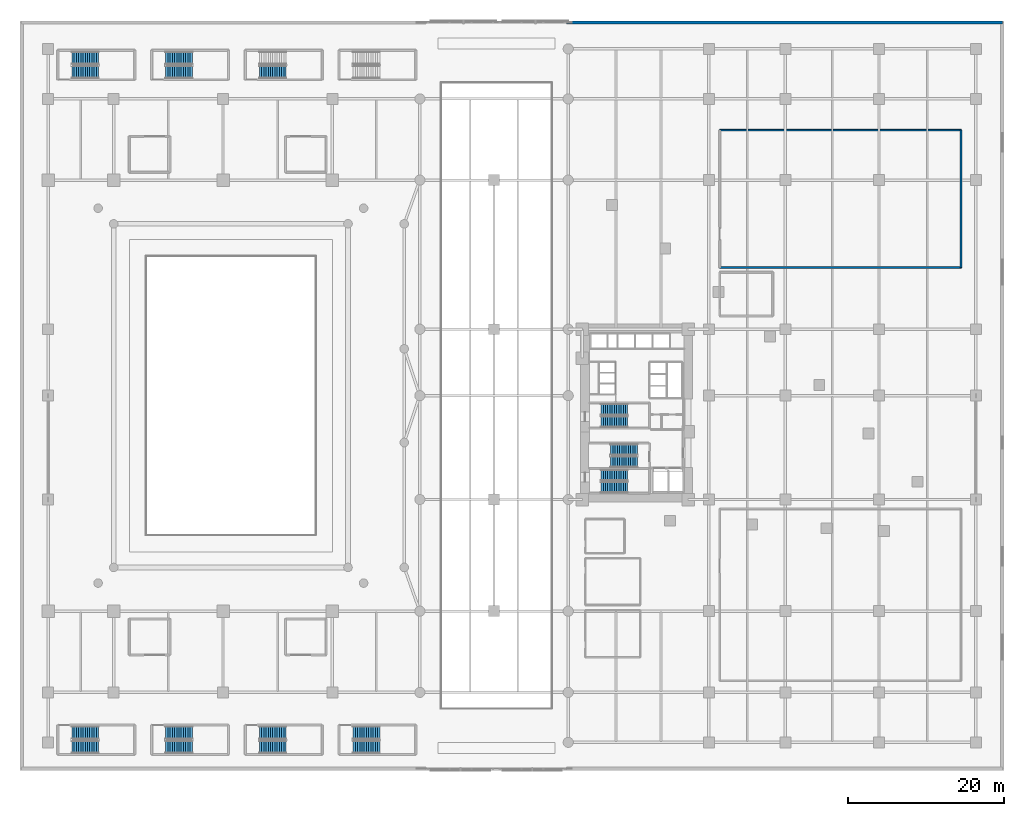
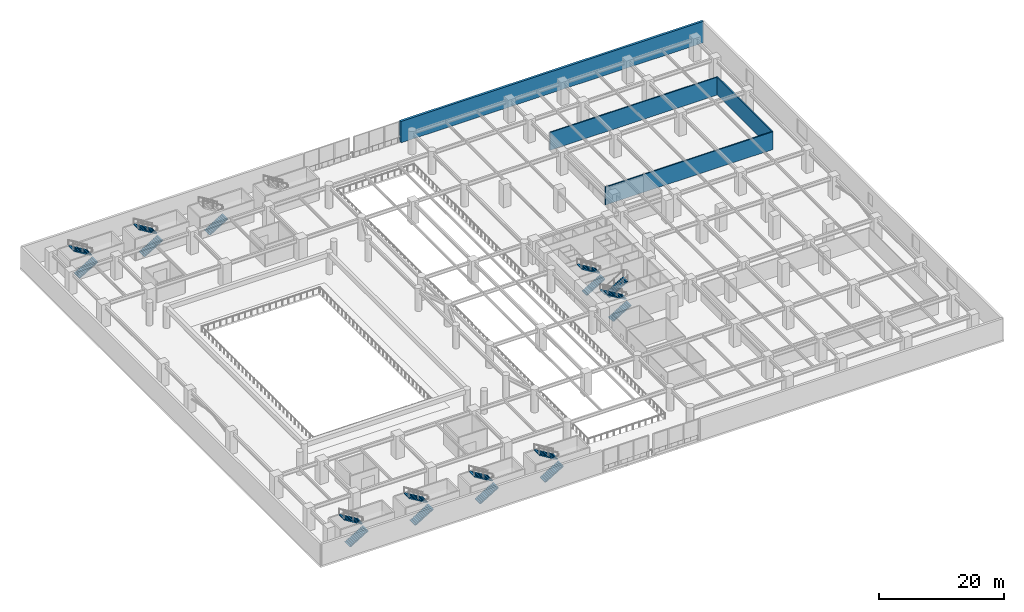
# One storey, part 17 of 32: 19 stair flights, 4 walls, 10 elements without a shape of their own.
"""IFC4 building model written with IfcOpenShell, lengths in metres."""

from ifc_helpers import new_model, si_unit, direction, frame, frame_2d, origin, place, context, subcontext, project, spatial, polyline, rectangle, outline, extrude, material, layer, layer_set, type_object, element, aggregate, save


model = new_model("IFC4")

# Units and contexts
model_context = context("Model", 3, precision=1e-05, world=origin(), true_north=direction((0.0, 1.0)))
body_context = subcontext(model_context, "Body", "Model", "MODEL_VIEW")
ifc_project = project(units=[si_unit("LENGTHUNIT", "METRE"), si_unit("AREAUNIT", "SQUARE_METRE"), si_unit("VOLUMEUNIT", "CUBIC_METRE"), si_unit("PLANEANGLEUNIT", "RADIAN"), si_unit("MASSUNIT", "GRAM", prefix="KILO")], contexts=[model_context])

# Site, building, storey
site_placement = place(None, origin())
site = spatial("IfcSite", under=ifc_project, at=site_placement, CompositionType="ELEMENT")
building_placement = place(site_placement, origin())
building = spatial("IfcBuilding", under=site, at=building_placement, Name="Narakoshi Arena Tower", CompositionType="ELEMENT")
storey_placement = place(building_placement, frame((0.0, 0.0, 4.5)))
storey = spatial("IfcBuildingStorey", under=building, at=storey_placement, Name="L01", CompositionType="ELEMENT", Elevation=4.5)

# Walls
ifc_material_1 = material(Name="Concrete C40/50", Category="concrete")
ifc_layer_1 = layer(ifc_material_1, 0.219970703125)
ifc_layer_set_1 = layer_set([ifc_layer_1], Name="Concrete C40/50")
wall_type_1 = type_object("IfcWallType", Name="WL-COMP-220", PredefinedType="SOLIDWALL", material=ifc_layer_set_1)
wall_1_placement = place(storey_placement, frame((89.60009765625, 64.39990234375, 0.0), z_axis=(0.0, 0.0, 1.0), x_axis=(1.0, 0.0, 0.0)))
element("IfcWall", 1, at=wall_1_placement, inside=storey, type_object=wall_type_1, Name="L01 Event Hospitality Banquet Hall Wall S", PredefinedType="SOLIDWALL", context=body_context, shape_type="SweptSolid", body=[
    extrude(rectangle(XDim=30.89990234375, YDim=0.219970703125, at=frame_2d((15.449951171875, 0.0))), origin(), (0.0, 0.0, 1.0), 3.465087890625),
])
wall_2_placement = place(storey_placement, frame((120.5, 64.39990234375, 0.0), z_axis=(0.0, 0.0, 1.0), x_axis=(0.0, 1.0, 0.0)))
element("IfcWall", 2, at=wall_2_placement, inside=storey, type_object=wall_type_1, Name="L01 Event Hospitality Banquet Hall Wall E", PredefinedType="SOLIDWALL", context=body_context, shape_type="SweptSolid", body=[
    extrude(rectangle(XDim=17.60009765625, YDim=0.219970703125, at=frame_2d((8.800048828125, 0.0))), origin(), (0.0, 0.0, 1.0), 3.465087890625),
])
wall_3_placement = place(storey_placement, frame((120.5, 82.0, 0.0), z_axis=(0.0, 0.0, 1.0), x_axis=(-1.0, 0.0, 0.0)))
element("IfcWall", 3, at=wall_3_placement, inside=storey, type_object=wall_type_1, Name="L01 Event Hospitality Banquet Hall Wall N", PredefinedType="SOLIDWALL", context=body_context, shape_type="SweptSolid", body=[
    extrude(rectangle(XDim=30.89990234375, YDim=0.219970703125, at=frame_2d((15.449951171875, 0.0))), origin(), (0.0, 0.0, 1.0), 3.465087890625),
])
ifc_material_2 = material(Name="Precast concrete C45/55", Category="concrete")
ifc_layer_2 = layer(ifc_material_2, 0.419921875)
ifc_layer_set_2 = layer_set([ifc_layer_2], Name="Precast concrete C45/55")
wall_type_2 = type_object("IfcWallType", Name="WL-POD-420", PredefinedType="SOLIDWALL", material=ifc_layer_set_2)
wall_4_placement = place(storey_placement, frame((125.7900390625, 95.7900390625, 0.0), z_axis=(0.0, 0.0, 1.0), x_axis=(-1.0, 0.0, 0.0)))
element("IfcWall", 4, at=wall_4_placement, inside=storey, type_object=wall_type_2, Name="L01 Podium Precast Facade Wall NE", PredefinedType="SOLIDWALL", context=body_context, shape_type="SweptSolid", body=[
    extrude(rectangle(XDim=55.7900390625, YDim=0.419921875, at=frame_2d((27.89501953125, 0.0))), origin(), (0.0, 0.0, 1.0), 4.179931640625),
])

# Stair, stair flights
ifc_material_3 = material(Name="Concrete C45/55", Category="concrete")
stair_type_1 = type_object("IfcStairType", Name="STR-POD-450", PredefinedType="TWO_STRAIGHT_RUN_STAIR", material=ifc_material_3)
stair_1_placement = place(storey_placement, origin())
stair_1 = element("IfcStair", 5, at=stair_1_placement, inside=storey, type_object=stair_type_1, Name="L01 Core Escape Stair ST1", PredefinedType="TWO_STRAIGHT_RUN_STAIR")
stair_flight_type_1 = type_object("IfcStairFlightType", Name="FLT-160-150", PredefinedType="STRAIGHT", material=ifc_material_2)
stair_flight_1_placement = place(storey_placement, frame((74.39990234375, 36.27490234375, 0.0), z_axis=(0.0, 0.0, 1.0), x_axis=(1.0, 0.0, 0.0)))
stair_flight_1 = element("IfcStairFlight", 6, at=stair_flight_1_placement, type_object=stair_flight_type_1, Name="ST1 flight 1", NumberOfRisers=13, NumberOfTreads=12, PredefinedType="STRAIGHT", RiserHeight=0.173076923, TreadLength=0.285, context=body_context, shape_type="SweptSolid", body=[
    extrude(outline(polyline([(0.0, 0.0), (0.0, 0.173095703125), (0.284912109375, 0.173095703125), (0.284912109375, 0.34619140625), (0.570068359375, 0.34619140625), (0.570068359375, 0.519287109375), (0.85498046875, 0.519287109375), (0.85498046875, 0.6923828125), (1.139892578125, 0.6923828125), (1.139892578125, 0.865478515625), (1.425048828125, 0.865478515625), (1.425048828125, 1.03857421875), (1.7099609375, 1.03857421875), (1.7099609375, 1.21142578125), (1.9951171875, 1.21142578125), (1.9951171875, 1.384521484375), (2.280029296875, 1.384521484375), (2.280029296875, 1.5576171875), (2.56494140625, 1.5576171875), (2.56494140625, 1.730712890625), (2.85009765625, 1.730712890625), (2.85009765625, 1.90380859375), (3.135009765625, 1.90380859375), (3.135009765625, 2.076904296875), (3.419921875, 2.076904296875), (3.419921875, 2.25), (3.419921875, 1.901611328125), (0.288818359375, 0.0), (0.0, 0.0)])), frame((0.0, 0.72509765625, 0.0), z_axis=(0.0, -1.0, 0.0), x_axis=(1.0, 0.0, 0.0)), (0.0, 0.0, 1.0), 1.449951171875),
])
stair_flight_2_placement = place(storey_placement, frame((77.820068359375, 37.824951171875, 2.25), z_axis=(0.0, 0.0, 1.0), x_axis=(-1.0, 0.0, 0.0)))
stair_flight_2 = element("IfcStairFlight", 7, at=stair_flight_2_placement, type_object=stair_flight_type_1, Name="ST1 flight 2", NumberOfRisers=13, NumberOfTreads=12, PredefinedType="STRAIGHT", RiserHeight=0.173076923, TreadLength=0.285, context=body_context, shape_type="SweptSolid", body=[
    extrude(outline(polyline([(0.0, 0.0), (0.0, 0.173095703125), (0.284912109375, 0.173095703125), (0.284912109375, 0.34619140625), (0.570068359375, 0.34619140625), (0.570068359375, 0.519287109375), (0.85498046875, 0.519287109375), (0.85498046875, 0.6923828125), (1.139892578125, 0.6923828125), (1.139892578125, 0.865478515625), (1.425048828125, 0.865478515625), (1.425048828125, 1.03857421875), (1.7099609375, 1.03857421875), (1.7099609375, 1.21142578125), (1.9951171875, 1.21142578125), (1.9951171875, 1.384521484375), (2.280029296875, 1.384521484375), (2.280029296875, 1.5576171875), (2.56494140625, 1.5576171875), (2.56494140625, 1.730712890625), (2.85009765625, 1.730712890625), (2.85009765625, 1.90380859375), (3.135009765625, 1.90380859375), (3.135009765625, 2.076904296875), (3.419921875, 2.076904296875), (3.419921875, 2.25), (3.419921875, 1.901611328125), (0.288818359375, 0.0), (0.0, 0.0)])), frame((0.0, 0.72509765625, 0.0), z_axis=(0.0, -1.0, 0.0), x_axis=(1.0, 0.0, 0.0)), (0.0, 0.0, 1.0), 1.449951171875),
])
aggregate(stair_1, [stair_flight_1, stair_flight_2])

stair_2_placement = place(storey_placement, origin())
stair_2 = element("IfcStair", 8, at=stair_2_placement, inside=storey, type_object=stair_type_1, Name="L01 Core Escape Stair ST2", PredefinedType="TWO_STRAIGHT_RUN_STAIR")
stair_flight_3_placement = place(storey_placement, frame((79.050048828125, 41.074951171875, 0.0), z_axis=(0.0, 0.0, 1.0), x_axis=(-1.0, 0.0, 0.0)))
stair_flight_3 = element("IfcStairFlight", 9, at=stair_flight_3_placement, type_object=stair_flight_type_1, Name="ST2 flight 1", NumberOfRisers=13, NumberOfTreads=12, PredefinedType="STRAIGHT", RiserHeight=0.173076923, TreadLength=0.285, context=body_context, shape_type="SweptSolid", body=[
    extrude(outline(polyline([(0.0, 0.0), (0.0, 0.173095703125), (0.284912109375, 0.173095703125), (0.284912109375, 0.34619140625), (0.570068359375, 0.34619140625), (0.570068359375, 0.519287109375), (0.85498046875, 0.519287109375), (0.85498046875, 0.6923828125), (1.139892578125, 0.6923828125), (1.139892578125, 0.865478515625), (1.425048828125, 0.865478515625), (1.425048828125, 1.03857421875), (1.7099609375, 1.03857421875), (1.7099609375, 1.21142578125), (1.9951171875, 1.21142578125), (1.9951171875, 1.384521484375), (2.280029296875, 1.384521484375), (2.280029296875, 1.5576171875), (2.56494140625, 1.5576171875), (2.56494140625, 1.730712890625), (2.85009765625, 1.730712890625), (2.85009765625, 1.90380859375), (3.135009765625, 1.90380859375), (3.135009765625, 2.076904296875), (3.419921875, 2.076904296875), (3.419921875, 2.25), (3.419921875, 1.901611328125), (0.288818359375, 0.0), (0.0, 0.0)])), frame((0.0, 0.72509765625, 0.0), z_axis=(0.0, -1.0, 0.0), x_axis=(1.0, 0.0, 0.0)), (0.0, 0.0, 1.0), 1.449951171875),
])
stair_flight_4_placement = place(storey_placement, frame((75.6298828125, 39.52490234375, 2.25), z_axis=(0.0, 0.0, 1.0), x_axis=(1.0, 0.0, 0.0)))
stair_flight_4 = element("IfcStairFlight", 10, at=stair_flight_4_placement, type_object=stair_flight_type_1, Name="ST2 flight 2", NumberOfRisers=13, NumberOfTreads=12, PredefinedType="STRAIGHT", RiserHeight=0.173076923, TreadLength=0.285, context=body_context, shape_type="SweptSolid", body=[
    extrude(outline(polyline([(0.0, 0.0), (0.0, 0.173095703125), (0.284912109375, 0.173095703125), (0.284912109375, 0.34619140625), (0.570068359375, 0.34619140625), (0.570068359375, 0.519287109375), (0.85498046875, 0.519287109375), (0.85498046875, 0.6923828125), (1.139892578125, 0.6923828125), (1.139892578125, 0.865478515625), (1.425048828125, 0.865478515625), (1.425048828125, 1.03857421875), (1.7099609375, 1.03857421875), (1.7099609375, 1.21142578125), (1.9951171875, 1.21142578125), (1.9951171875, 1.384521484375), (2.280029296875, 1.384521484375), (2.280029296875, 1.5576171875), (2.56494140625, 1.5576171875), (2.56494140625, 1.730712890625), (2.85009765625, 1.730712890625), (2.85009765625, 1.90380859375), (3.135009765625, 1.90380859375), (3.135009765625, 2.076904296875), (3.419921875, 2.076904296875), (3.419921875, 2.25), (3.419921875, 1.901611328125), (0.288818359375, 0.0), (0.0, 0.0)])), frame((0.0, 0.72509765625, 0.0), z_axis=(0.0, -1.0, 0.0), x_axis=(1.0, 0.0, 0.0)), (0.0, 0.0, 1.0), 1.449951171875),
])
aggregate(stair_2, [stair_flight_3, stair_flight_4])

stair_3_placement = place(storey_placement, origin())
stair_3 = element("IfcStair", 11, at=stair_3_placement, inside=storey, type_object=stair_type_1, Name="L01 Core Escape Stair ST3", PredefinedType="TWO_STRAIGHT_RUN_STAIR")
stair_flight_5_placement = place(storey_placement, frame((74.39990234375, 44.675048828125, 0.0), z_axis=(0.0, 0.0, 1.0), x_axis=(1.0, 0.0, 0.0)))
stair_flight_5 = element("IfcStairFlight", 12, at=stair_flight_5_placement, type_object=stair_flight_type_1, Name="ST3 flight 1", NumberOfRisers=13, NumberOfTreads=12, PredefinedType="STRAIGHT", RiserHeight=0.173076923, TreadLength=0.285, context=body_context, shape_type="SweptSolid", body=[
    extrude(outline(polyline([(0.0, 0.0), (0.0, 0.173095703125), (0.284912109375, 0.173095703125), (0.284912109375, 0.34619140625), (0.570068359375, 0.34619140625), (0.570068359375, 0.519287109375), (0.85498046875, 0.519287109375), (0.85498046875, 0.6923828125), (1.139892578125, 0.6923828125), (1.139892578125, 0.865478515625), (1.425048828125, 0.865478515625), (1.425048828125, 1.03857421875), (1.7099609375, 1.03857421875), (1.7099609375, 1.21142578125), (1.9951171875, 1.21142578125), (1.9951171875, 1.384521484375), (2.280029296875, 1.384521484375), (2.280029296875, 1.5576171875), (2.56494140625, 1.5576171875), (2.56494140625, 1.730712890625), (2.85009765625, 1.730712890625), (2.85009765625, 1.90380859375), (3.135009765625, 1.90380859375), (3.135009765625, 2.076904296875), (3.419921875, 2.076904296875), (3.419921875, 2.25), (3.419921875, 1.901611328125), (0.288818359375, 0.0), (0.0, 0.0)])), frame((0.0, 0.72509765625, 0.0), z_axis=(0.0, -1.0, 0.0), x_axis=(1.0, 0.0, 0.0)), (0.0, 0.0, 1.0), 1.449951171875),
])
stair_flight_6_placement = place(storey_placement, frame((77.820068359375, 46.22509765625, 2.25), z_axis=(0.0, 0.0, 1.0), x_axis=(-1.0, 0.0, 0.0)))
stair_flight_6 = element("IfcStairFlight", 13, at=stair_flight_6_placement, type_object=stair_flight_type_1, Name="ST3 flight 2", NumberOfRisers=13, NumberOfTreads=12, PredefinedType="STRAIGHT", RiserHeight=0.173076923, TreadLength=0.285, context=body_context, shape_type="SweptSolid", body=[
    extrude(outline(polyline([(0.0, 0.0), (0.0, 0.173095703125), (0.284912109375, 0.173095703125), (0.284912109375, 0.34619140625), (0.570068359375, 0.34619140625), (0.570068359375, 0.519287109375), (0.85498046875, 0.519287109375), (0.85498046875, 0.6923828125), (1.139892578125, 0.6923828125), (1.139892578125, 0.865478515625), (1.425048828125, 0.865478515625), (1.425048828125, 1.03857421875), (1.7099609375, 1.03857421875), (1.7099609375, 1.21142578125), (1.9951171875, 1.21142578125), (1.9951171875, 1.384521484375), (2.280029296875, 1.384521484375), (2.280029296875, 1.5576171875), (2.56494140625, 1.5576171875), (2.56494140625, 1.730712890625), (2.85009765625, 1.730712890625), (2.85009765625, 1.90380859375), (3.135009765625, 1.90380859375), (3.135009765625, 2.076904296875), (3.419921875, 2.076904296875), (3.419921875, 2.25), (3.419921875, 1.901611328125), (0.288818359375, 0.0), (0.0, 0.0)])), frame((0.0, 0.72509765625, 0.0), z_axis=(0.0, -1.0, 0.0), x_axis=(1.0, 0.0, 0.0)), (0.0, 0.0, 1.0), 1.449951171875),
])
aggregate(stair_3, [stair_flight_5, stair_flight_6])

stair_type_2 = type_object("IfcStairType", Name="STR-ARN-2400", PredefinedType="TWO_STRAIGHT_RUN_STAIR", material=ifc_material_3)
stair_4_placement = place(storey_placement, origin())
stair_4 = element("IfcStair", 14, at=stair_4_placement, inside=storey, type_object=stair_type_2, Name="L01 Arena Crowd Escape Stair AST1", PredefinedType="TWO_STRAIGHT_RUN_STAIR")
stair_flight_type_2 = type_object("IfcStairFlightType", Name="FLT-240-150", PredefinedType="STRAIGHT", material=ifc_material_2)
stair_flight_7_placement = place(storey_placement, frame((6.64990234375, 3.02490234375, 0.0), z_axis=(0.0, 0.0, 1.0), x_axis=(1.0, 0.0, 0.0)))
stair_flight_7 = element("IfcStairFlight", 15, at=stair_flight_7_placement, type_object=stair_flight_type_2, Name="AST1 flight 1", NumberOfRisers=13, NumberOfTreads=12, PredefinedType="STRAIGHT", RiserHeight=0.173076923, TreadLength=0.285, context=body_context, shape_type="SweptSolid", body=[
    extrude(outline(polyline([(0.0, 0.0), (0.0, 0.173095703125), (0.284912109375, 0.173095703125), (0.284912109375, 0.34619140625), (0.570068359375, 0.34619140625), (0.570068359375, 0.519287109375), (0.85498046875, 0.519287109375), (0.85498046875, 0.6923828125), (1.139892578125, 0.6923828125), (1.139892578125, 0.865478515625), (1.425048828125, 0.865478515625), (1.425048828125, 1.03857421875), (1.7099609375, 1.03857421875), (1.7099609375, 1.21142578125), (1.9951171875, 1.21142578125), (1.9951171875, 1.384521484375), (2.280029296875, 1.384521484375), (2.280029296875, 1.5576171875), (2.56494140625, 1.5576171875), (2.56494140625, 1.730712890625), (2.85009765625, 1.730712890625), (2.85009765625, 1.90380859375), (3.135009765625, 1.90380859375), (3.135009765625, 2.076904296875), (3.419921875, 2.076904296875), (3.419921875, 2.25), (3.419921875, 1.901611328125), (0.288818359375, 0.0), (0.0, 0.0)])), frame((0.0, 0.824951171875, 0.0), z_axis=(0.0, -1.0, 0.0), x_axis=(1.0, 0.0, 0.0)), (0.0, 0.0, 1.0), 1.64990234375),
])
stair_flight_8_placement = place(storey_placement, frame((10.070068359375, 4.824951171875, 2.25), z_axis=(0.0, 0.0, 1.0), x_axis=(-1.0, 0.0, 0.0)))
stair_flight_8 = element("IfcStairFlight", 16, at=stair_flight_8_placement, type_object=stair_flight_type_2, Name="AST1 flight 2", NumberOfRisers=13, NumberOfTreads=12, PredefinedType="STRAIGHT", RiserHeight=0.173076923, TreadLength=0.285, context=body_context, shape_type="SweptSolid", body=[
    extrude(outline(polyline([(0.0, 0.0), (0.0, 0.173095703125), (0.284912109375, 0.173095703125), (0.284912109375, 0.34619140625), (0.570068359375, 0.34619140625), (0.570068359375, 0.519287109375), (0.85498046875, 0.519287109375), (0.85498046875, 0.6923828125), (1.139892578125, 0.6923828125), (1.139892578125, 0.865478515625), (1.425048828125, 0.865478515625), (1.425048828125, 1.03857421875), (1.7099609375, 1.03857421875), (1.7099609375, 1.21142578125), (1.9951171875, 1.21142578125), (1.9951171875, 1.384521484375), (2.280029296875, 1.384521484375), (2.280029296875, 1.5576171875), (2.56494140625, 1.5576171875), (2.56494140625, 1.730712890625), (2.85009765625, 1.730712890625), (2.85009765625, 1.90380859375), (3.135009765625, 1.90380859375), (3.135009765625, 2.076904296875), (3.419921875, 2.076904296875), (3.419921875, 2.25), (3.419921875, 1.901611328125), (0.288818359375, 0.0), (0.0, 0.0)])), frame((0.0, 0.824951171875, 0.0), z_axis=(0.0, -1.0, 0.0), x_axis=(1.0, 0.0, 0.0)), (0.0, 0.0, 1.0), 1.64990234375),
])
aggregate(stair_4, [stair_flight_7, stair_flight_8])

stair_5_placement = place(storey_placement, origin())
stair_5 = element("IfcStair", 17, at=stair_5_placement, inside=storey, type_object=stair_type_2, Name="L01 Arena Crowd Escape Stair AST2", PredefinedType="TWO_STRAIGHT_RUN_STAIR")
stair_flight_9_placement = place(storey_placement, frame((18.64990234375, 3.02490234375, 0.0), z_axis=(0.0, 0.0, 1.0), x_axis=(1.0, 0.0, 0.0)))
stair_flight_9 = element("IfcStairFlight", 18, at=stair_flight_9_placement, type_object=stair_flight_type_2, Name="AST2 flight 1", NumberOfRisers=13, NumberOfTreads=12, PredefinedType="STRAIGHT", RiserHeight=0.173076923, TreadLength=0.285, context=body_context, shape_type="SweptSolid", body=[
    extrude(outline(polyline([(0.0, 0.0), (0.0, 0.173095703125), (0.284912109375, 0.173095703125), (0.284912109375, 0.34619140625), (0.570068359375, 0.34619140625), (0.570068359375, 0.519287109375), (0.85498046875, 0.519287109375), (0.85498046875, 0.6923828125), (1.139892578125, 0.6923828125), (1.139892578125, 0.865478515625), (1.425048828125, 0.865478515625), (1.425048828125, 1.03857421875), (1.7099609375, 1.03857421875), (1.7099609375, 1.21142578125), (1.9951171875, 1.21142578125), (1.9951171875, 1.384521484375), (2.280029296875, 1.384521484375), (2.280029296875, 1.5576171875), (2.56494140625, 1.5576171875), (2.56494140625, 1.730712890625), (2.85009765625, 1.730712890625), (2.85009765625, 1.90380859375), (3.135009765625, 1.90380859375), (3.135009765625, 2.076904296875), (3.419921875, 2.076904296875), (3.419921875, 2.25), (3.419921875, 1.901611328125), (0.288818359375, 0.0), (0.0, 0.0)])), frame((0.0, 0.824951171875, 0.0), z_axis=(0.0, -1.0, 0.0), x_axis=(1.0, 0.0, 0.0)), (0.0, 0.0, 1.0), 1.64990234375),
])
stair_flight_10_placement = place(storey_placement, frame((22.070068359375, 4.824951171875, 2.25), z_axis=(0.0, 0.0, 1.0), x_axis=(-1.0, 0.0, 0.0)))
stair_flight_10 = element("IfcStairFlight", 19, at=stair_flight_10_placement, type_object=stair_flight_type_2, Name="AST2 flight 2", NumberOfRisers=13, NumberOfTreads=12, PredefinedType="STRAIGHT", RiserHeight=0.173076923, TreadLength=0.285, context=body_context, shape_type="SweptSolid", body=[
    extrude(outline(polyline([(0.0, 0.0), (0.0, 0.173095703125), (0.284912109375, 0.173095703125), (0.284912109375, 0.34619140625), (0.570068359375, 0.34619140625), (0.570068359375, 0.519287109375), (0.85498046875, 0.519287109375), (0.85498046875, 0.6923828125), (1.139892578125, 0.6923828125), (1.139892578125, 0.865478515625), (1.425048828125, 0.865478515625), (1.425048828125, 1.03857421875), (1.7099609375, 1.03857421875), (1.7099609375, 1.21142578125), (1.9951171875, 1.21142578125), (1.9951171875, 1.384521484375), (2.280029296875, 1.384521484375), (2.280029296875, 1.5576171875), (2.56494140625, 1.5576171875), (2.56494140625, 1.730712890625), (2.85009765625, 1.730712890625), (2.85009765625, 1.90380859375), (3.135009765625, 1.90380859375), (3.135009765625, 2.076904296875), (3.419921875, 2.076904296875), (3.419921875, 2.25), (3.419921875, 1.901611328125), (0.288818359375, 0.0), (0.0, 0.0)])), frame((0.0, 0.824951171875, 0.0), z_axis=(0.0, -1.0, 0.0), x_axis=(1.0, 0.0, 0.0)), (0.0, 0.0, 1.0), 1.64990234375),
])
aggregate(stair_5, [stair_flight_9, stair_flight_10])

stair_6_placement = place(storey_placement, origin())
stair_6 = element("IfcStair", 20, at=stair_6_placement, inside=storey, type_object=stair_type_2, Name="L01 Arena Crowd Escape Stair AST3", PredefinedType="TWO_STRAIGHT_RUN_STAIR")
stair_flight_11_placement = place(storey_placement, frame((30.64990234375, 3.02490234375, 0.0), z_axis=(0.0, 0.0, 1.0), x_axis=(1.0, 0.0, 0.0)))
stair_flight_11 = element("IfcStairFlight", 21, at=stair_flight_11_placement, type_object=stair_flight_type_2, Name="AST3 flight 1", NumberOfRisers=13, NumberOfTreads=12, PredefinedType="STRAIGHT", RiserHeight=0.173076923, TreadLength=0.285, context=body_context, shape_type="SweptSolid", body=[
    extrude(outline(polyline([(0.0, 0.0), (0.0, 0.173095703125), (0.284912109375, 0.173095703125), (0.284912109375, 0.34619140625), (0.570068359375, 0.34619140625), (0.570068359375, 0.519287109375), (0.85498046875, 0.519287109375), (0.85498046875, 0.6923828125), (1.139892578125, 0.6923828125), (1.139892578125, 0.865478515625), (1.425048828125, 0.865478515625), (1.425048828125, 1.03857421875), (1.7099609375, 1.03857421875), (1.7099609375, 1.21142578125), (1.9951171875, 1.21142578125), (1.9951171875, 1.384521484375), (2.280029296875, 1.384521484375), (2.280029296875, 1.5576171875), (2.56494140625, 1.5576171875), (2.56494140625, 1.730712890625), (2.85009765625, 1.730712890625), (2.85009765625, 1.90380859375), (3.135009765625, 1.90380859375), (3.135009765625, 2.076904296875), (3.419921875, 2.076904296875), (3.419921875, 2.25), (3.419921875, 1.901611328125), (0.288818359375, 0.0), (0.0, 0.0)])), frame((0.0, 0.824951171875, 0.0), z_axis=(0.0, -1.0, 0.0), x_axis=(1.0, 0.0, 0.0)), (0.0, 0.0, 1.0), 1.64990234375),
])
stair_flight_12_placement = place(storey_placement, frame((34.070068359375, 4.824951171875, 2.25), z_axis=(0.0, 0.0, 1.0), x_axis=(-1.0, 0.0, 0.0)))
stair_flight_12 = element("IfcStairFlight", 22, at=stair_flight_12_placement, type_object=stair_flight_type_2, Name="AST3 flight 2", NumberOfRisers=13, NumberOfTreads=12, PredefinedType="STRAIGHT", RiserHeight=0.173076923, TreadLength=0.285, context=body_context, shape_type="SweptSolid", body=[
    extrude(outline(polyline([(0.0, 0.0), (0.0, 0.173095703125), (0.284912109375, 0.173095703125), (0.284912109375, 0.34619140625), (0.570068359375, 0.34619140625), (0.570068359375, 0.519287109375), (0.85498046875, 0.519287109375), (0.85498046875, 0.6923828125), (1.139892578125, 0.6923828125), (1.139892578125, 0.865478515625), (1.425048828125, 0.865478515625), (1.425048828125, 1.03857421875), (1.7099609375, 1.03857421875), (1.7099609375, 1.21142578125), (1.9951171875, 1.21142578125), (1.9951171875, 1.384521484375), (2.280029296875, 1.384521484375), (2.280029296875, 1.5576171875), (2.56494140625, 1.5576171875), (2.56494140625, 1.730712890625), (2.85009765625, 1.730712890625), (2.85009765625, 1.90380859375), (3.135009765625, 1.90380859375), (3.135009765625, 2.076904296875), (3.419921875, 2.076904296875), (3.419921875, 2.25), (3.419921875, 1.901611328125), (0.288818359375, 0.0), (0.0, 0.0)])), frame((0.0, 0.824951171875, 0.0), z_axis=(0.0, -1.0, 0.0), x_axis=(1.0, 0.0, 0.0)), (0.0, 0.0, 1.0), 1.64990234375),
])
aggregate(stair_6, [stair_flight_11, stair_flight_12])

stair_7_placement = place(storey_placement, origin())
stair_7 = element("IfcStair", 23, at=stair_7_placement, inside=storey, type_object=stair_type_2, Name="L01 Arena Crowd Escape Stair AST4", PredefinedType="TWO_STRAIGHT_RUN_STAIR")
stair_flight_13_placement = place(storey_placement, frame((42.64990234375, 3.02490234375, 0.0), z_axis=(0.0, 0.0, 1.0), x_axis=(1.0, 0.0, 0.0)))
stair_flight_13 = element("IfcStairFlight", 24, at=stair_flight_13_placement, type_object=stair_flight_type_2, Name="AST4 flight 1", NumberOfRisers=13, NumberOfTreads=12, PredefinedType="STRAIGHT", RiserHeight=0.173076923, TreadLength=0.285, context=body_context, shape_type="SweptSolid", body=[
    extrude(outline(polyline([(0.0, 0.0), (0.0, 0.173095703125), (0.284912109375, 0.173095703125), (0.284912109375, 0.34619140625), (0.570068359375, 0.34619140625), (0.570068359375, 0.519287109375), (0.85498046875, 0.519287109375), (0.85498046875, 0.6923828125), (1.139892578125, 0.6923828125), (1.139892578125, 0.865478515625), (1.425048828125, 0.865478515625), (1.425048828125, 1.03857421875), (1.7099609375, 1.03857421875), (1.7099609375, 1.21142578125), (1.9951171875, 1.21142578125), (1.9951171875, 1.384521484375), (2.280029296875, 1.384521484375), (2.280029296875, 1.5576171875), (2.56494140625, 1.5576171875), (2.56494140625, 1.730712890625), (2.85009765625, 1.730712890625), (2.85009765625, 1.90380859375), (3.135009765625, 1.90380859375), (3.135009765625, 2.076904296875), (3.419921875, 2.076904296875), (3.419921875, 2.25), (3.419921875, 1.901611328125), (0.288818359375, 0.0), (0.0, 0.0)])), frame((0.0, 0.824951171875, 0.0), z_axis=(0.0, -1.0, 0.0), x_axis=(1.0, 0.0, 0.0)), (0.0, 0.0, 1.0), 1.64990234375),
])
stair_flight_14_placement = place(storey_placement, frame((46.070068359375, 4.824951171875, 2.25), z_axis=(0.0, 0.0, 1.0), x_axis=(-1.0, 0.0, 0.0)))
stair_flight_14 = element("IfcStairFlight", 25, at=stair_flight_14_placement, type_object=stair_flight_type_2, Name="AST4 flight 2", NumberOfRisers=13, NumberOfTreads=12, PredefinedType="STRAIGHT", RiserHeight=0.173076923, TreadLength=0.285, context=body_context, shape_type="SweptSolid", body=[
    extrude(outline(polyline([(0.0, 0.0), (0.0, 0.173095703125), (0.284912109375, 0.173095703125), (0.284912109375, 0.34619140625), (0.570068359375, 0.34619140625), (0.570068359375, 0.519287109375), (0.85498046875, 0.519287109375), (0.85498046875, 0.6923828125), (1.139892578125, 0.6923828125), (1.139892578125, 0.865478515625), (1.425048828125, 0.865478515625), (1.425048828125, 1.03857421875), (1.7099609375, 1.03857421875), (1.7099609375, 1.21142578125), (1.9951171875, 1.21142578125), (1.9951171875, 1.384521484375), (2.280029296875, 1.384521484375), (2.280029296875, 1.5576171875), (2.56494140625, 1.5576171875), (2.56494140625, 1.730712890625), (2.85009765625, 1.730712890625), (2.85009765625, 1.90380859375), (3.135009765625, 1.90380859375), (3.135009765625, 2.076904296875), (3.419921875, 2.076904296875), (3.419921875, 2.25), (3.419921875, 1.901611328125), (0.288818359375, 0.0), (0.0, 0.0)])), frame((0.0, 0.824951171875, 0.0), z_axis=(0.0, -1.0, 0.0), x_axis=(1.0, 0.0, 0.0)), (0.0, 0.0, 1.0), 1.64990234375),
])
aggregate(stair_7, [stair_flight_13, stair_flight_14])

stair_8_placement = place(storey_placement, origin())
stair_8 = element("IfcStair", 26, at=stair_8_placement, inside=storey, type_object=stair_type_2, Name="L01 Arena Crowd Escape Stair AST5", PredefinedType="TWO_STRAIGHT_RUN_STAIR")
stair_flight_15_placement = place(storey_placement, frame((6.64990234375, 89.425048828125, 0.0), z_axis=(0.0, 0.0, 1.0), x_axis=(1.0, 0.0, 0.0)))
stair_flight_15 = element("IfcStairFlight", 27, at=stair_flight_15_placement, type_object=stair_flight_type_2, Name="AST5 flight 1", NumberOfRisers=13, NumberOfTreads=12, PredefinedType="STRAIGHT", RiserHeight=0.173076923, TreadLength=0.285, context=body_context, shape_type="SweptSolid", body=[
    extrude(outline(polyline([(0.0, 0.0), (0.0, 0.173095703125), (0.284912109375, 0.173095703125), (0.284912109375, 0.34619140625), (0.570068359375, 0.34619140625), (0.570068359375, 0.519287109375), (0.85498046875, 0.519287109375), (0.85498046875, 0.6923828125), (1.139892578125, 0.6923828125), (1.139892578125, 0.865478515625), (1.425048828125, 0.865478515625), (1.425048828125, 1.03857421875), (1.7099609375, 1.03857421875), (1.7099609375, 1.21142578125), (1.9951171875, 1.21142578125), (1.9951171875, 1.384521484375), (2.280029296875, 1.384521484375), (2.280029296875, 1.5576171875), (2.56494140625, 1.5576171875), (2.56494140625, 1.730712890625), (2.85009765625, 1.730712890625), (2.85009765625, 1.90380859375), (3.135009765625, 1.90380859375), (3.135009765625, 2.076904296875), (3.419921875, 2.076904296875), (3.419921875, 2.25), (3.419921875, 1.901611328125), (0.288818359375, 0.0), (0.0, 0.0)])), frame((0.0, 0.824951171875, 0.0), z_axis=(0.0, -1.0, 0.0), x_axis=(1.0, 0.0, 0.0)), (0.0, 0.0, 1.0), 1.64990234375),
])
stair_flight_16_placement = place(storey_placement, frame((10.070068359375, 91.22509765625, 2.25), z_axis=(0.0, 0.0, 1.0), x_axis=(-1.0, 0.0, 0.0)))
stair_flight_16 = element("IfcStairFlight", 28, at=stair_flight_16_placement, type_object=stair_flight_type_2, Name="AST5 flight 2", NumberOfRisers=13, NumberOfTreads=12, PredefinedType="STRAIGHT", RiserHeight=0.173076923, TreadLength=0.285, context=body_context, shape_type="SweptSolid", body=[
    extrude(outline(polyline([(0.0, 0.0), (0.0, 0.173095703125), (0.284912109375, 0.173095703125), (0.284912109375, 0.34619140625), (0.570068359375, 0.34619140625), (0.570068359375, 0.519287109375), (0.85498046875, 0.519287109375), (0.85498046875, 0.6923828125), (1.139892578125, 0.6923828125), (1.139892578125, 0.865478515625), (1.425048828125, 0.865478515625), (1.425048828125, 1.03857421875), (1.7099609375, 1.03857421875), (1.7099609375, 1.21142578125), (1.9951171875, 1.21142578125), (1.9951171875, 1.384521484375), (2.280029296875, 1.384521484375), (2.280029296875, 1.5576171875), (2.56494140625, 1.5576171875), (2.56494140625, 1.730712890625), (2.85009765625, 1.730712890625), (2.85009765625, 1.90380859375), (3.135009765625, 1.90380859375), (3.135009765625, 2.076904296875), (3.419921875, 2.076904296875), (3.419921875, 2.25), (3.419921875, 1.901611328125), (0.288818359375, 0.0), (0.0, 0.0)])), frame((0.0, 0.824951171875, 0.0), z_axis=(0.0, -1.0, 0.0), x_axis=(1.0, 0.0, 0.0)), (0.0, 0.0, 1.0), 1.64990234375),
])
aggregate(stair_8, [stair_flight_15, stair_flight_16])

stair_9_placement = place(storey_placement, origin())
stair_9 = element("IfcStair", 29, at=stair_9_placement, inside=storey, type_object=stair_type_2, Name="L01 Arena Crowd Escape Stair AST6", PredefinedType="TWO_STRAIGHT_RUN_STAIR")
stair_flight_17_placement = place(storey_placement, frame((18.64990234375, 89.425048828125, 0.0), z_axis=(0.0, 0.0, 1.0), x_axis=(1.0, 0.0, 0.0)))
stair_flight_17 = element("IfcStairFlight", 30, at=stair_flight_17_placement, type_object=stair_flight_type_2, Name="AST6 flight 1", NumberOfRisers=13, NumberOfTreads=12, PredefinedType="STRAIGHT", RiserHeight=0.173076923, TreadLength=0.285, context=body_context, shape_type="SweptSolid", body=[
    extrude(outline(polyline([(0.0, 0.0), (0.0, 0.173095703125), (0.284912109375, 0.173095703125), (0.284912109375, 0.34619140625), (0.570068359375, 0.34619140625), (0.570068359375, 0.519287109375), (0.85498046875, 0.519287109375), (0.85498046875, 0.6923828125), (1.139892578125, 0.6923828125), (1.139892578125, 0.865478515625), (1.425048828125, 0.865478515625), (1.425048828125, 1.03857421875), (1.7099609375, 1.03857421875), (1.7099609375, 1.21142578125), (1.9951171875, 1.21142578125), (1.9951171875, 1.384521484375), (2.280029296875, 1.384521484375), (2.280029296875, 1.5576171875), (2.56494140625, 1.5576171875), (2.56494140625, 1.730712890625), (2.85009765625, 1.730712890625), (2.85009765625, 1.90380859375), (3.135009765625, 1.90380859375), (3.135009765625, 2.076904296875), (3.419921875, 2.076904296875), (3.419921875, 2.25), (3.419921875, 1.901611328125), (0.288818359375, 0.0), (0.0, 0.0)])), frame((0.0, 0.824951171875, 0.0), z_axis=(0.0, -1.0, 0.0), x_axis=(1.0, 0.0, 0.0)), (0.0, 0.0, 1.0), 1.64990234375),
])
stair_flight_18_placement = place(storey_placement, frame((22.070068359375, 91.22509765625, 2.25), z_axis=(0.0, 0.0, 1.0), x_axis=(-1.0, 0.0, 0.0)))
stair_flight_18 = element("IfcStairFlight", 31, at=stair_flight_18_placement, type_object=stair_flight_type_2, Name="AST6 flight 2", NumberOfRisers=13, NumberOfTreads=12, PredefinedType="STRAIGHT", RiserHeight=0.173076923, TreadLength=0.285, context=body_context, shape_type="SweptSolid", body=[
    extrude(outline(polyline([(0.0, 0.0), (0.0, 0.173095703125), (0.284912109375, 0.173095703125), (0.284912109375, 0.34619140625), (0.570068359375, 0.34619140625), (0.570068359375, 0.519287109375), (0.85498046875, 0.519287109375), (0.85498046875, 0.6923828125), (1.139892578125, 0.6923828125), (1.139892578125, 0.865478515625), (1.425048828125, 0.865478515625), (1.425048828125, 1.03857421875), (1.7099609375, 1.03857421875), (1.7099609375, 1.21142578125), (1.9951171875, 1.21142578125), (1.9951171875, 1.384521484375), (2.280029296875, 1.384521484375), (2.280029296875, 1.5576171875), (2.56494140625, 1.5576171875), (2.56494140625, 1.730712890625), (2.85009765625, 1.730712890625), (2.85009765625, 1.90380859375), (3.135009765625, 1.90380859375), (3.135009765625, 2.076904296875), (3.419921875, 2.076904296875), (3.419921875, 2.25), (3.419921875, 1.901611328125), (0.288818359375, 0.0), (0.0, 0.0)])), frame((0.0, 0.824951171875, 0.0), z_axis=(0.0, -1.0, 0.0), x_axis=(1.0, 0.0, 0.0)), (0.0, 0.0, 1.0), 1.64990234375),
])
aggregate(stair_9, [stair_flight_17, stair_flight_18])

# Stair, stair flight
stair_10_placement = place(storey_placement, origin())
stair_10 = element("IfcStair", 32, at=stair_10_placement, inside=storey, type_object=stair_type_2, Name="L01 Arena Crowd Escape Stair AST7", PredefinedType="TWO_STRAIGHT_RUN_STAIR")
stair_flight_19_placement = place(storey_placement, frame((30.64990234375, 89.425048828125, 0.0), z_axis=(0.0, 0.0, 1.0), x_axis=(1.0, 0.0, 0.0)))
stair_flight_19 = element("IfcStairFlight", 33, at=stair_flight_19_placement, type_object=stair_flight_type_2, Name="AST7 flight 1", NumberOfRisers=13, NumberOfTreads=12, PredefinedType="STRAIGHT", RiserHeight=0.173076923, TreadLength=0.285, context=body_context, shape_type="SweptSolid", body=[
    extrude(outline(polyline([(0.0, 0.0), (0.0, 0.173095703125), (0.284912109375, 0.173095703125), (0.284912109375, 0.34619140625), (0.570068359375, 0.34619140625), (0.570068359375, 0.519287109375), (0.85498046875, 0.519287109375), (0.85498046875, 0.6923828125), (1.139892578125, 0.6923828125), (1.139892578125, 0.865478515625), (1.425048828125, 0.865478515625), (1.425048828125, 1.03857421875), (1.7099609375, 1.03857421875), (1.7099609375, 1.21142578125), (1.9951171875, 1.21142578125), (1.9951171875, 1.384521484375), (2.280029296875, 1.384521484375), (2.280029296875, 1.5576171875), (2.56494140625, 1.5576171875), (2.56494140625, 1.730712890625), (2.85009765625, 1.730712890625), (2.85009765625, 1.90380859375), (3.135009765625, 1.90380859375), (3.135009765625, 2.076904296875), (3.419921875, 2.076904296875), (3.419921875, 2.25), (3.419921875, 1.901611328125), (0.288818359375, 0.0), (0.0, 0.0)])), frame((0.0, 0.824951171875, 0.0), z_axis=(0.0, -1.0, 0.0), x_axis=(1.0, 0.0, 0.0)), (0.0, 0.0, 1.0), 1.64990234375),
])
aggregate(stair_10, [stair_flight_19])

save(model, "model.ifc")
